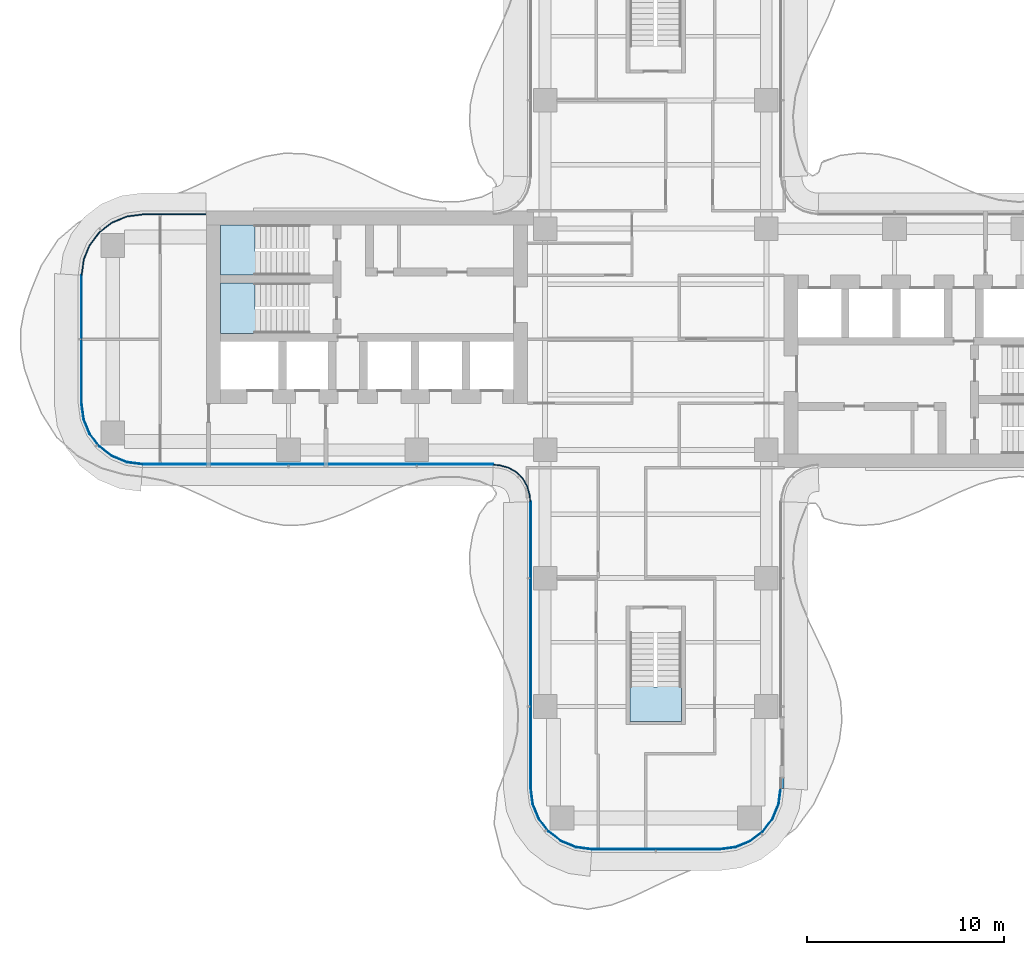
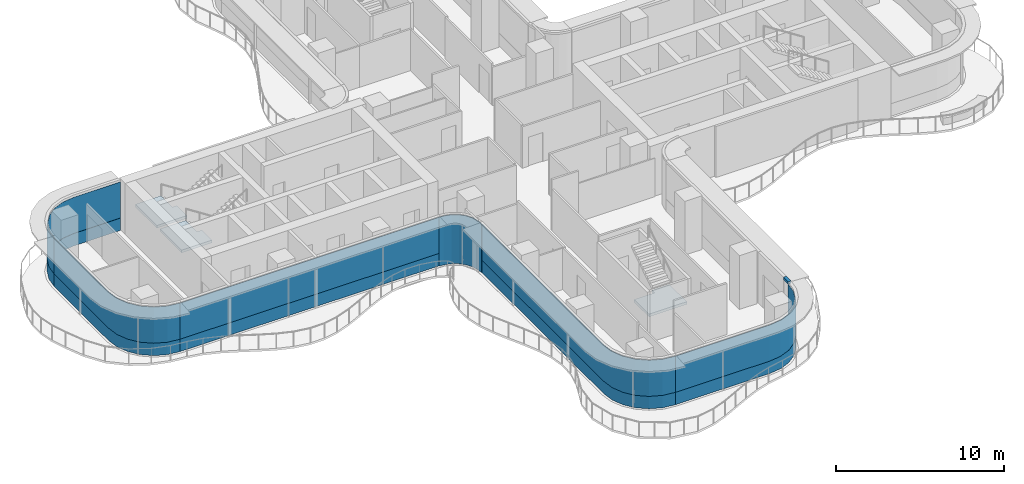
# One storey, part 9 of 18: 11 plates, 3 slabs, 1 member, 10 elements without a shape of their own.
"""IFC4 building model written with IfcOpenShell, lengths in metres."""

from ifc_helpers import new_model, si_unit, direction, frame, origin, place, context, subcontext, project, spatial, polyline, outline, extrude, source, transform, mapped, material, layer, layer_set, type_object, element, aggregate, save


model = new_model("IFC4")

# Units and contexts
model_context = context("Model", 3, precision=1e-05, world=origin(), true_north=direction((0.0, 1.0)))
body_context = subcontext(model_context, "Body", "Model", "MODEL_VIEW")
ifc_project = project(units=[si_unit("LENGTHUNIT", "METRE"), si_unit("AREAUNIT", "SQUARE_METRE"), si_unit("VOLUMEUNIT", "CUBIC_METRE"), si_unit("PLANEANGLEUNIT", "RADIAN"), si_unit("MASSUNIT", "GRAM", prefix="KILO")], contexts=[model_context])

# Site, building, storey
site_placement = place(None, origin())
site = spatial("IfcSite", under=ifc_project, at=site_placement, CompositionType="ELEMENT")
building_placement = place(site_placement, origin())
building = spatial("IfcBuilding", under=site, at=building_placement, Name="Trellis Farm Tower", CompositionType="ELEMENT")
storey_placement = place(building_placement, frame((0.0, 0.0, 169.800048828125)))
storey = spatial("IfcBuildingStorey", under=building, at=storey_placement, Name="L36", CompositionType="ELEMENT", Elevation=169.800048828125)

# Curtain wall, member
ifc_material_1 = material(Name="Aluminium and glass curtain wall", Category="aluminium")
ifc_layer_1 = layer(ifc_material_1, 0.18994140625)
ifc_layer_set_1 = layer_set([ifc_layer_1], Name="RIBBON CURTAIN WALL CW1")
curtain_wall_type_1 = type_object("IfcCurtainWallType", Name="RIBBON CURTAIN WALL CW1", PredefinedType="NOTDEFINED", material=ifc_layer_set_1)
placement_1 = place(storey_placement, origin())
curtain_wall_1 = element("IfcCurtainWall", 1, at=placement_1, inside=storey, type_object=curtain_wall_type_1, Name="CW1 004", PredefinedType="NOTDEFINED")
ifc_material_2 = material(Name="Aluminium extrusion 6063-T6", Category="aluminium")
ifc_layer_2 = layer(ifc_material_2, 0.199951171875)
ifc_layer_set_2 = layer_set([ifc_layer_2], Name="Aluminium extrusion 6063-T6")
member_type = type_object("IfcMemberType", Name="CW1 TRANSOM 200x180", PredefinedType="USERDEFINED", material=ifc_layer_set_2)
shared_shape_1 = source(origin(), body_context, "Body", "SweptSolid", [
    extrude(outline(polyline([(6.5, -22.75), (6.5, -22.175048828125), (6.300048828125, -22.175048828125), (6.300048828125, -22.73681640625), (6.5, -22.75)])), origin(), (0.0, 0.0, 1.0), 0.179931640625),
])
member_placement = place(storey_placement, frame((0.0, 0.0, 3.52001953125)))
member = element("IfcMember", 2, at=member_placement, type_object=member_type, Name="TR1 004", ObjectType="TRANSOM", PredefinedType="USERDEFINED", context=body_context, shape_type="MappedRepresentation", body=[
    mapped(shared_shape_1, transform((0.0, 0.0, 0.0))),
])
aggregate(curtain_wall_1, [member])

# Stair, slab
ifc_material_3 = material(Name="Concrete C50/60", Category="concrete")
stair_type = type_object("IfcStairType", Name="CORE EXIT STAIR 22 RISERS 177 MM", PredefinedType="HALF_TURN_STAIR", material=ifc_material_3)
stair_1 = element("IfcStair", 3, at=placement_1, inside=storey, type_object=stair_type, Name="Exit stair S", PredefinedType="HALF_TURN_STAIR")
ifc_layer_3 = layer(ifc_material_3, 0.18994140625)
ifc_layer_set_3 = layer_set([ifc_layer_3], Name="CORE STAIR LANDING 190 CONCRETE C50/60")
slab_type = type_object("IfcSlabType", Name="CORE STAIR LANDING 190 CONCRETE C50/60", PredefinedType="LANDING", material=ifc_layer_set_3)
shared_shape_2 = source(origin(), body_context, "Body", "SweptSolid", [
    extrude(outline(polyline([(1.300048828125, -19.35009765625), (-1.300048828125, -19.35009765625), (-1.300048828125, -17.60009765625), (-1.300048828125, -17.590087890625), (-0.10009765625, -17.590087890625), (-0.10009765625, -17.60009765625), (0.10009765625, -17.60009765625), (0.10009765625, -17.27197265625), (1.300048828125, -17.27197265625), (1.300048828125, -17.60009765625), (1.300048828125, -19.35009765625)])), origin(), (0.0, 0.0, 1.0), 0.18994140625),
])
placement_2 = place(storey_placement, frame((0.0, 0.0, 1.760009765625)))
slab_1 = element("IfcSlab", 4, at=placement_2, type_object=slab_type, Name="STS landing 1", PredefinedType="LANDING", context=body_context, shape_type="MappedRepresentation", body=[
    mapped(shared_shape_2, transform((0.0, 0.0, 0.0))),
])
aggregate(stair_1, [slab_1])

stair_2 = element("IfcStair", 5, at=placement_1, inside=storey, type_object=stair_type, Name="Exit stair W1", PredefinedType="HALF_TURN_STAIR")
shared_shape_3 = source(origin(), body_context, "Body", "SweptSolid", [
    extrude(outline(polyline([(-19.971923828125, 4.449951171875), (-19.971923828125, 3.25), (-20.300048828125, 3.25), (-22.050048828125, 3.25), (-22.050048828125, 5.800048828125), (-20.300048828125, 5.800048828125), (-20.2900390625, 5.800048828125), (-20.2900390625, 4.60009765625), (-20.300048828125, 4.60009765625), (-20.300048828125, 4.449951171875), (-19.971923828125, 4.449951171875)])), origin(), (0.0, 0.0, 1.0), 0.18994140625),
])
slab_2 = element("IfcSlab", 6, at=placement_2, type_object=slab_type, Name="STW1 landing 1", PredefinedType="LANDING", context=body_context, shape_type="MappedRepresentation", body=[
    mapped(shared_shape_3, transform((0.0, 0.0, 0.0))),
])
aggregate(stair_2, [slab_2])

stair_3 = element("IfcStair", 7, at=placement_1, inside=storey, type_object=stair_type, Name="Exit stair W2", PredefinedType="HALF_TURN_STAIR")
shared_shape_4 = source(origin(), body_context, "Body", "SweptSolid", [
    extrude(outline(polyline([(-19.971923828125, 1.5), (-19.971923828125, 0.300048828125), (-20.300048828125, 0.300048828125), (-22.050048828125, 0.300048828125), (-22.050048828125, 2.85009765625), (-20.300048828125, 2.85009765625), (-20.2900390625, 2.85009765625), (-20.2900390625, 1.64990234375), (-20.300048828125, 1.64990234375), (-20.300048828125, 1.5), (-19.971923828125, 1.5)])), origin(), (0.0, 0.0, 1.0), 0.18994140625),
])
slab_3 = element("IfcSlab", 8, at=placement_2, type_object=slab_type, Name="STW2 landing 1", PredefinedType="LANDING", context=body_context, shape_type="MappedRepresentation", body=[
    mapped(shared_shape_4, transform((0.0, 0.0, 0.0))),
])
aggregate(stair_3, [slab_3])

# Curtain wall, plate
curtain_wall_2 = element("IfcCurtainWall", 9, at=placement_1, inside=storey, type_object=curtain_wall_type_1, Name="CW1 002", PredefinedType="NOTDEFINED")
ifc_material_4 = material(Name="Sandstone faced insulated panel", Category="masonry")
ifc_layer_4 = layer(ifc_material_4, 0.050048828125)
ifc_layer_set_4 = layer_set([ifc_layer_4], Name="CW1 STONE SPANDREL PANEL 50")
plate_type_1 = type_object("IfcPlateType", Name="CW1 STONE SPANDREL PANEL 50", PredefinedType="CURTAIN_PANEL", material=ifc_layer_set_4)
shared_shape_5 = source(origin(), body_context, "Body", "SweptSolid", [
    extrude(outline(polyline([(-6.35009765625, -8.2265625), (-6.35009765625, -22.740234375), (-6.2431640625, -23.552001953125), (-5.93359375, -24.29931640625), (-5.441162109375, -24.941162109375), (-4.79931640625, -25.43359375), (-4.052001953125, -25.7431640625), (-3.240234375, -25.85009765625), (-3.23681640625, -25.800048828125), (-4.0390625, -25.6943359375), (-4.774169921875, -25.389892578125), (-5.405517578125, -24.905517578125), (-5.889892578125, -24.274169921875), (-6.1943359375, -23.5390625), (-6.300048828125, -22.73681640625), (-6.300048828125, -8.224853515625), (-6.35009765625, -8.2265625)])), origin(), (0.0, 0.0, 1.0), 0.89990234375),
])
plate_1 = element("IfcPlate", 10, at=placement_1, type_object=plate_type_1, Name="PS1 002", PredefinedType="CURTAIN_PANEL", context=body_context, shape_type="MappedRepresentation", body=[
    mapped(shared_shape_5, transform((0.0, 0.0, 0.0))),
])

curtain_wall_3 = element("IfcCurtainWall", 11, at=placement_1, inside=storey, type_object=curtain_wall_type_1, Name="CW1 003", PredefinedType="NOTDEFINED")
shared_shape_6 = source(origin(), body_context, "Body", "SweptSolid", [
    extrude(outline(polyline([(-3.240234375, -25.85009765625), (3.240234375, -25.85009765625), (4.052001953125, -25.7431640625), (4.79931640625, -25.43359375), (5.441162109375, -24.941162109375), (5.93359375, -24.29931640625), (6.2431640625, -23.552001953125), (6.35009765625, -22.740234375), (6.300048828125, -22.73681640625), (6.1943359375, -23.5390625), (5.889892578125, -24.274169921875), (5.405517578125, -24.905517578125), (4.774169921875, -25.389892578125), (4.0390625, -25.6943359375), (3.23681640625, -25.800048828125), (-3.23681640625, -25.800048828125), (-3.240234375, -25.85009765625)])), origin(), (0.0, 0.0, 1.0), 0.89990234375),
])
plate_2 = element("IfcPlate", 12, at=placement_1, type_object=plate_type_1, Name="PS1 003", PredefinedType="CURTAIN_PANEL", context=body_context, shape_type="MappedRepresentation", body=[
    mapped(shared_shape_6, transform((0.0, 0.0, 0.0))),
])

ifc_layer_5 = layer(ifc_material_1, 0.166015625)
ifc_layer_set_5 = layer_set([ifc_layer_5], Name="WINTER GARDEN CURTAIN WALL CW3")
curtain_wall_type_2 = type_object("IfcCurtainWallType", Name="WINTER GARDEN CURTAIN WALL CW3", PredefinedType="NOTDEFINED", material=ifc_layer_set_5)
curtain_wall_4 = element("IfcCurtainWall", 13, at=placement_1, inside=storey, type_object=curtain_wall_type_2, Name="CW3 001", PredefinedType="NOTDEFINED")
ifc_material_5 = material(Name="Clear insulated glass", Category="glass")
ifc_layer_6 = layer(ifc_material_5, 0.0458984375)
ifc_layer_set_6 = layer_set([ifc_layer_6], Name="CW3 GLASS PANEL 46")
plate_type_2 = type_object("IfcPlateType", Name="CW3 GLASS PANEL 46", PredefinedType="CURTAIN_PANEL", material=ifc_layer_set_6)
shared_shape_7 = source(origin(), body_context, "Body", "SweptSolid", [
    extrude(outline(polyline([(-8.2275390625, -6.3798828125), (-8.0078125, -6.394287109375), (-7.89208984375, -6.40966796875), (-7.462158203125, -6.52490234375), (-7.070556640625, -6.7509765625), (-6.7509765625, -7.070556640625), (-6.52490234375, -7.462158203125), (-6.40966796875, -7.89208984375), (-6.394287109375, -8.0078125), (-6.3798828125, -8.2275390625), (-6.333984375, -8.22607421875), (-6.3486328125, -8.003173828125), (-6.364501953125, -7.883056640625), (-6.48193359375, -7.4443359375), (-6.714111328125, -7.04248046875), (-7.04248046875, -6.714111328125), (-7.4443359375, -6.48193359375), (-7.883056640625, -6.364501953125), (-8.003173828125, -6.3486328125), (-8.22607421875, -6.333984375), (-8.2275390625, -6.3798828125)])), origin(), (0.0, 0.0, 1.0), 3.550048828125),
])
plate_3 = element("IfcPlate", 14, at=placement_1, type_object=plate_type_2, Name="PL3 001", PredefinedType="CURTAIN_PANEL", context=body_context, shape_type="MappedRepresentation", body=[
    mapped(shared_shape_7, transform((0.0, 0.0, 0.0))),
])
aggregate(curtain_wall_4, [plate_3])

# Curtain wall, plates
curtain_wall_5 = element("IfcCurtainWall", 15, at=placement_1, inside=storey, type_object=curtain_wall_type_1, Name="CW1 001", PredefinedType="NOTDEFINED")
ifc_layer_7 = layer(ifc_material_5, 0.0400390625)
ifc_layer_set_7 = layer_set([ifc_layer_7], Name="CW1 GLASS PANEL 40")
plate_type_3 = type_object("IfcPlateType", Name="CW1 GLASS PANEL 40", PredefinedType="CURTAIN_PANEL", material=ifc_layer_set_7)
shared_shape_8 = source(origin(), body_context, "Body", "SweptSolid", [
    extrude(outline(polyline([(-25.990234375, -6.35009765625), (-8.2265625, -6.35009765625), (-8.22509765625, -6.31005859375), (-25.987548828125, -6.31005859375), (-25.990234375, -6.35009765625)])), origin(), (0.0, 0.0, 1.0), 2.6201171875),
])
placement_3 = place(storey_placement, frame((0.0, 0.0, 0.89990234375)))
plate_4 = element("IfcPlate", 16, at=placement_3, type_object=plate_type_3, Name="PL1 001", PredefinedType="CURTAIN_PANEL", context=body_context, shape_type="MappedRepresentation", body=[
    mapped(shared_shape_8, transform((0.0, 0.0, 0.0))),
])
shared_shape_9 = source(origin(), body_context, "Body", "SweptSolid", [
    extrude(outline(polyline([(-25.990234375, -6.35009765625), (-8.2265625, -6.35009765625), (-8.224853515625, -6.300048828125), (-25.98681640625, -6.300048828125), (-25.990234375, -6.35009765625)])), origin(), (0.0, 0.0, 1.0), 0.89990234375),
])
plate_5 = element("IfcPlate", 17, at=placement_1, type_object=plate_type_1, Name="PS1 001", PredefinedType="CURTAIN_PANEL", context=body_context, shape_type="MappedRepresentation", body=[
    mapped(shared_shape_9, transform((0.0, 0.0, 0.0))),
])
aggregate(curtain_wall_5, [plate_4, plate_5])

# Plate
shared_shape_10 = source(origin(), body_context, "Body", "SweptSolid", [
    extrude(outline(polyline([(-6.35009765625, -8.2265625), (-6.35009765625, -22.740234375), (-6.2431640625, -23.552001953125), (-5.93359375, -24.29931640625), (-5.441162109375, -24.941162109375), (-4.79931640625, -25.43359375), (-4.052001953125, -25.7431640625), (-3.240234375, -25.85009765625), (-3.237548828125, -25.81005859375), (-4.04150390625, -25.7041015625), (-4.779296875, -25.398681640625), (-5.41259765625, -24.91259765625), (-5.898681640625, -24.279296875), (-6.2041015625, -23.54150390625), (-6.31005859375, -22.737548828125), (-6.31005859375, -8.22509765625), (-6.35009765625, -8.2265625)])), origin(), (0.0, 0.0, 1.0), 2.6201171875),
])
plate_6 = element("IfcPlate", 18, at=placement_3, type_object=plate_type_3, Name="PL1 002", PredefinedType="CURTAIN_PANEL", context=body_context, shape_type="MappedRepresentation", body=[
    mapped(shared_shape_10, transform((0.0, 0.0, 0.0))),
])

aggregate(curtain_wall_2, [plate_6, plate_1])

shared_shape_11 = source(origin(), body_context, "Body", "SweptSolid", [
    extrude(outline(polyline([(-3.240234375, -25.85009765625), (3.240234375, -25.85009765625), (4.052001953125, -25.7431640625), (4.79931640625, -25.43359375), (5.441162109375, -24.941162109375), (5.93359375, -24.29931640625), (6.2431640625, -23.552001953125), (6.35009765625, -22.740234375), (6.31005859375, -22.737548828125), (6.2041015625, -23.54150390625), (5.898681640625, -24.279296875), (5.41259765625, -24.91259765625), (4.779296875, -25.398681640625), (4.04150390625, -25.7041015625), (3.237548828125, -25.81005859375), (-3.237548828125, -25.81005859375), (-3.240234375, -25.85009765625)])), origin(), (0.0, 0.0, 1.0), 2.6201171875),
])
plate_7 = element("IfcPlate", 19, at=placement_3, type_object=plate_type_3, Name="PL1 003", PredefinedType="CURTAIN_PANEL", context=body_context, shape_type="MappedRepresentation", body=[
    mapped(shared_shape_11, transform((0.0, 0.0, 0.0))),
])

aggregate(curtain_wall_3, [plate_7, plate_2])

# Curtain wall, plates
curtain_wall_6 = element("IfcCurtainWall", 20, at=placement_1, inside=storey, type_object=curtain_wall_type_1, Name="CW1 012", PredefinedType="NOTDEFINED")
shared_shape_12 = source(origin(), body_context, "Body", "SweptSolid", [
    extrude(outline(polyline([(-22.780029296875, 6.35009765625), (-25.990234375, 6.35009765625), (-26.802001953125, 6.2431640625), (-27.54931640625, 5.93359375), (-28.191162109375, 5.441162109375), (-28.68359375, 4.79931640625), (-28.9931640625, 4.052001953125), (-29.10009765625, 3.240234375), (-29.06005859375, 3.237548828125), (-28.9541015625, 4.04150390625), (-28.648681640625, 4.779296875), (-28.16259765625, 5.41259765625), (-27.529296875, 5.898681640625), (-26.79150390625, 6.2041015625), (-25.987548828125, 6.31005859375), (-22.780029296875, 6.31005859375), (-22.780029296875, 6.35009765625)])), origin(), (0.0, 0.0, 1.0), 2.6201171875),
])
plate_8 = element("IfcPlate", 21, at=placement_3, type_object=plate_type_3, Name="PL1 012", PredefinedType="CURTAIN_PANEL", context=body_context, shape_type="MappedRepresentation", body=[
    mapped(shared_shape_12, transform((0.0, 0.0, 0.0))),
])
shared_shape_13 = source(origin(), body_context, "Body", "SweptSolid", [
    extrude(outline(polyline([(-22.780029296875, 6.35009765625), (-25.990234375, 6.35009765625), (-26.802001953125, 6.2431640625), (-27.54931640625, 5.93359375), (-28.191162109375, 5.441162109375), (-28.68359375, 4.79931640625), (-28.9931640625, 4.052001953125), (-29.10009765625, 3.240234375), (-29.050048828125, 3.23681640625), (-28.9443359375, 4.0390625), (-28.639892578125, 4.774169921875), (-28.155517578125, 5.405517578125), (-27.524169921875, 5.889892578125), (-26.7890625, 6.1943359375), (-25.98681640625, 6.300048828125), (-22.780029296875, 6.300048828125), (-22.780029296875, 6.35009765625)])), origin(), (0.0, 0.0, 1.0), 0.89990234375),
])
plate_9 = element("IfcPlate", 22, at=placement_1, type_object=plate_type_1, Name="PS1 012", PredefinedType="CURTAIN_PANEL", context=body_context, shape_type="MappedRepresentation", body=[
    mapped(shared_shape_13, transform((0.0, 0.0, 0.0))),
])
aggregate(curtain_wall_6, [plate_8, plate_9])

curtain_wall_7 = element("IfcCurtainWall", 23, at=placement_1, inside=storey, type_object=curtain_wall_type_1, Name="CW1 013", PredefinedType="NOTDEFINED")
shared_shape_14 = source(origin(), body_context, "Body", "SweptSolid", [
    extrude(outline(polyline([(-29.10009765625, 3.240234375), (-29.10009765625, -3.240234375), (-28.9931640625, -4.052001953125), (-28.68359375, -4.79931640625), (-28.191162109375, -5.441162109375), (-27.54931640625, -5.93359375), (-26.802001953125, -6.2431640625), (-25.990234375, -6.35009765625), (-25.987548828125, -6.31005859375), (-26.79150390625, -6.2041015625), (-27.529296875, -5.898681640625), (-28.16259765625, -5.41259765625), (-28.648681640625, -4.779296875), (-28.9541015625, -4.04150390625), (-29.06005859375, -3.237548828125), (-29.06005859375, 3.237548828125), (-29.10009765625, 3.240234375)])), origin(), (0.0, 0.0, 1.0), 2.6201171875),
])
plate_10 = element("IfcPlate", 24, at=placement_3, type_object=plate_type_3, Name="PL1 013", PredefinedType="CURTAIN_PANEL", context=body_context, shape_type="MappedRepresentation", body=[
    mapped(shared_shape_14, transform((0.0, 0.0, 0.0))),
])
shared_shape_15 = source(origin(), body_context, "Body", "SweptSolid", [
    extrude(outline(polyline([(-29.10009765625, 3.240234375), (-29.10009765625, -3.240234375), (-28.9931640625, -4.052001953125), (-28.68359375, -4.79931640625), (-28.191162109375, -5.441162109375), (-27.54931640625, -5.93359375), (-26.802001953125, -6.2431640625), (-25.990234375, -6.35009765625), (-25.98681640625, -6.300048828125), (-26.7890625, -6.1943359375), (-27.524169921875, -5.889892578125), (-28.155517578125, -5.405517578125), (-28.639892578125, -4.774169921875), (-28.9443359375, -4.0390625), (-29.050048828125, -3.23681640625), (-29.050048828125, 3.23681640625), (-29.10009765625, 3.240234375)])), origin(), (0.0, 0.0, 1.0), 0.89990234375),
])
plate_11 = element("IfcPlate", 25, at=placement_1, type_object=plate_type_1, Name="PS1 013", PredefinedType="CURTAIN_PANEL", context=body_context, shape_type="MappedRepresentation", body=[
    mapped(shared_shape_15, transform((0.0, 0.0, 0.0))),
])
aggregate(curtain_wall_7, [plate_10, plate_11])

save(model, "model.ifc")
